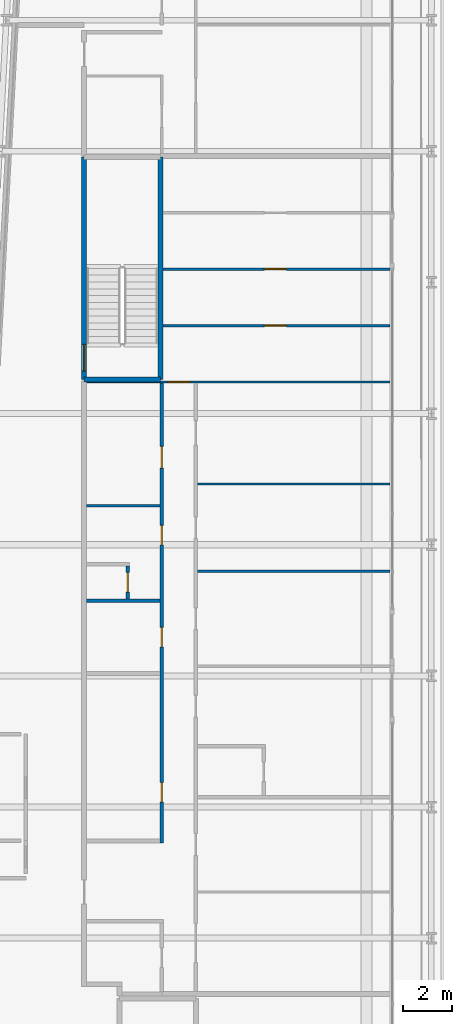
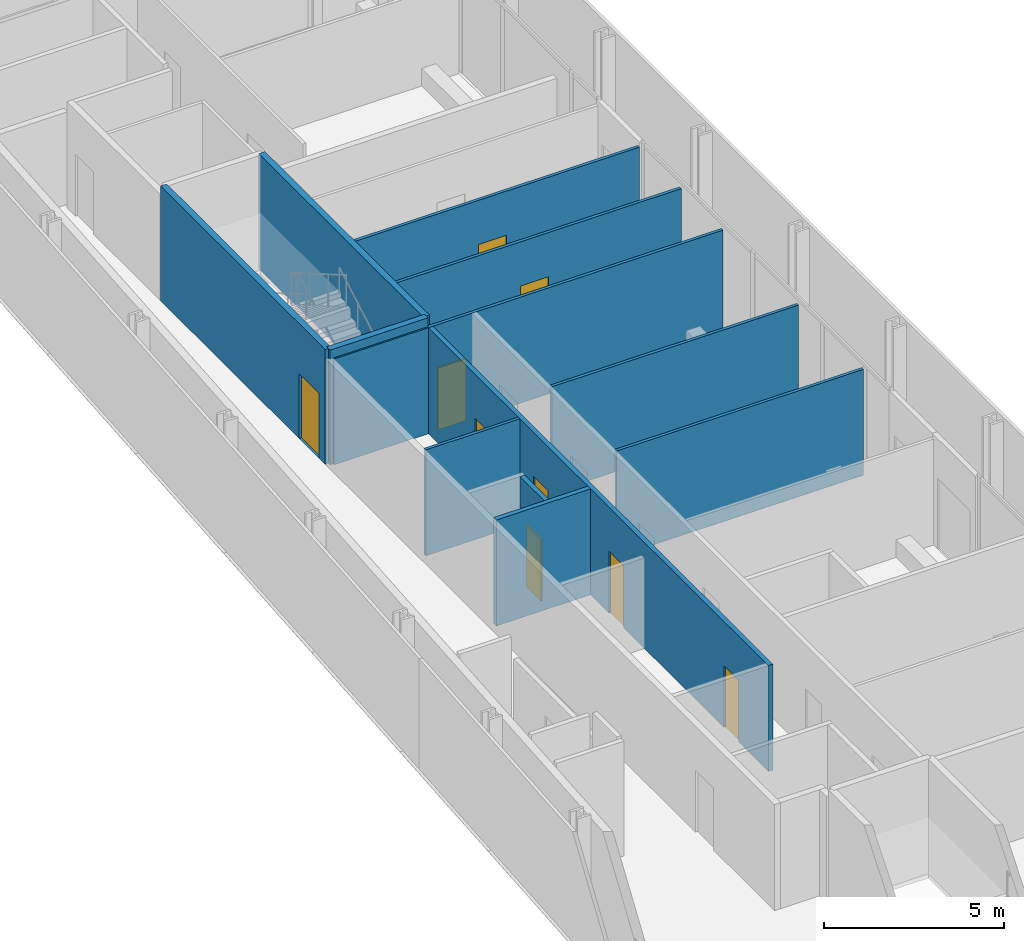
# One storey, part 19 of 29: 12 walls, 9 doors, 9 openings.
"""IFC4 building model written with IfcOpenShell, lengths in metres."""

from ifc_helpers import new_model, si_unit, direction, frame, frame_2d, origin, place, context, subcontext, project, spatial, rectangle, extrude, source, transform, mapped, material, layer, layer_set, type_object, element, fill, save


model = new_model("IFC4")

# Units and contexts
model_context = context("Model", 3, precision=1e-05, world=origin(), true_north=direction((0.0, 1.0)))
body_context = subcontext(model_context, "Body", "Model", "MODEL_VIEW")
ifc_project = project(units=[si_unit("LENGTHUNIT", "METRE"), si_unit("AREAUNIT", "SQUARE_METRE"), si_unit("VOLUMEUNIT", "CUBIC_METRE"), si_unit("PLANEANGLEUNIT", "RADIAN"), si_unit("MASSUNIT", "GRAM", prefix="KILO")], contexts=[model_context])

# Site, building, storey
site_placement = place(None, origin())
site = spatial("IfcSite", under=ifc_project, at=site_placement, CompositionType="ELEMENT")
building_placement = place(site_placement, origin())
building = spatial("IfcBuilding", under=site, at=building_placement, Name="Kheshtan School and Residences Tower", CompositionType="ELEMENT")
storey_placement = place(building_placement, frame((0.0, 0.0, 61.699951171875)))
storey = spatial("IfcBuildingStorey", under=building, at=storey_placement, Name="L14", CompositionType="ELEMENT", Elevation=61.699951171875)

# Wall
ifc_material_1 = material(Name="Gypsum board on steel studs", Category="steel")
ifc_layer_1 = layer(ifc_material_1, 0.10009765625)
ifc_layer_set_1 = layer_set([ifc_layer_1], Name="Gypsum partition 100")
wall_type_1 = type_object("IfcWallType", Name="Gypsum partition 100", PredefinedType="PARTITIONING", material=ifc_layer_set_1)
wall_1_placement = place(storey_placement, frame((33.39990234375, 74.199951171875, 0.0), z_axis=(0.0, 0.0, 1.0), x_axis=(1.0, 0.0, 0.0)))
element("IfcWall", 1, at=wall_1_placement, inside=storey, type_object=wall_type_1, Name="Partition L14-011", PredefinedType="PARTITIONING", context=body_context, shape_type="SweptSolid", body=[
    extrude(rectangle(XDim=3.025146484375, YDim=0.10009765625, at=frame_2d((1.5126953125, 0.0))), origin(), (0.0, 0.0, 1.0), 3.60009765625),
])

# Wall, opening, door
wall_2_placement = place(storey_placement, frame((33.39990234375, 79.300048828125, 0.0), z_axis=(0.0, 0.0, 1.0), x_axis=(1.0, 0.0, 0.0)))
wall_2 = element("IfcWall", 2, at=wall_2_placement, inside=storey, type_object=wall_type_1, Name="Partition L14-012", PredefinedType="PARTITIONING", context=body_context, shape_type="SweptSolid", body=[
    extrude(rectangle(XDim=12.5, YDim=0.10009765625, at=frame_2d((6.25, 0.0))), origin(), (0.0, 0.0, 1.0), 3.60009765625),
])
opening_1_placement = place(wall_2_placement, frame((3.35498046875, 0.0, 0.0)))
opening_1 = element("IfcOpeningElement", 3, at=opening_1_placement, cuts=wall_2, Name="Opening D14-047", PredefinedType="OPENING", context=body_context, shape_type="SweptSolid", body=[
    extrude(rectangle(XDim=0.89990234375, YDim=2.10009765625, at=frame_2d((0.449951171875, 1.050048828125))), frame((0.0, 0.06005859375, 0.0), z_axis=(0.0, -1.0, 0.0), x_axis=(1.0, 0.0, 0.0)), (0.0, 0.0, 1.0), 0.1201171875),
])
ifc_material_2 = material(Name="Veneered timber door leaf", Category="wood")
door_type_1 = type_object("IfcDoorType", Name="Door 900 x 2100", OperationType="SINGLE_SWING_LEFT", PredefinedType="DOOR", material=ifc_material_2)
shared_shape_1 = source(origin(), body_context, "Body", "SweptSolid", [
    extrude(rectangle(XDim=0.89990234375, YDim=2.10009765625, at=frame_2d((0.449951171875, 1.050048828125))), frame((0.0, 0.02490234375, 0.0), z_axis=(0.0, -1.0, 0.0), x_axis=(1.0, 0.0, 0.0)), (0.0, 0.0, 1.0), 0.050048828125),
])
door_1_placement = place(opening_1_placement, origin())
door_1 = element("IfcDoor", 4, at=door_1_placement, inside=storey, type_object=door_type_1, Name="Door D14-047", OperationType="SINGLE_SWING_LEFT", OverallHeight=2.10009765625, OverallWidth=0.89990234375, PredefinedType="DOOR", context=body_context, shape_type="MappedRepresentation", body=[
    mapped(shared_shape_1, transform((0.0, 0.0, 0.0), x_axis=(1.0, 0.0, 0.0), y_axis=(0.0, 1.0, 0.0), z_axis=(0.0, 0.0, 1.0), scale=1.0)),
])
fill(opening_1, door_1)

wall_3_placement = place(storey_placement, frame((36.549072265625, 81.625, 0.0), z_axis=(0.0, 0.0, 1.0), x_axis=(1.0, 0.0, 0.0)))
wall_3 = element("IfcWall", 5, at=wall_3_placement, inside=storey, type_object=wall_type_1, Name="Partition L14-024", PredefinedType="PARTITIONING", context=body_context, shape_type="SweptSolid", body=[
    extrude(rectangle(XDim=9.350830078125, YDim=0.10009765625, at=frame_2d((4.67529296875, 0.0))), origin(), (0.0, 0.0, 1.0), 3.60009765625),
])
opening_2_placement = place(wall_3_placement, frame((4.176025390625, 0.0, 0.0)))
opening_2 = element("IfcOpeningElement", 6, at=opening_2_placement, cuts=wall_3, Name="Opening D14-048", PredefinedType="OPENING", context=body_context, shape_type="SweptSolid", body=[
    extrude(rectangle(XDim=0.89990234375, YDim=2.10009765625, at=frame_2d((0.449951171875, 1.050048828125))), frame((0.0, 0.06005859375, 0.0), z_axis=(0.0, -1.0, 0.0), x_axis=(1.0, 0.0, 0.0)), (0.0, 0.0, 1.0), 0.1201171875),
])
door_2_placement = place(opening_2_placement, origin())
door_2 = element("IfcDoor", 7, at=door_2_placement, inside=storey, type_object=door_type_1, Name="Door D14-048", OperationType="SINGLE_SWING_RIGHT", OverallHeight=2.10009765625, OverallWidth=0.89990234375, PredefinedType="DOOR", context=body_context, shape_type="MappedRepresentation", body=[
    mapped(shared_shape_1, transform((0.0, 0.0, 0.0), x_axis=(1.0, 0.0, 0.0), y_axis=(0.0, 1.0, 0.0), z_axis=(0.0, 0.0, 1.0), scale=1.0)),
])
fill(opening_2, door_2)

wall_4_placement = place(storey_placement, frame((36.549072265625, 83.949951171875, 0.0), z_axis=(0.0, 0.0, 1.0), x_axis=(1.0, 0.0, 0.0)))
wall_4 = element("IfcWall", 8, at=wall_4_placement, inside=storey, type_object=wall_type_1, Name="Partition L14-025", PredefinedType="PARTITIONING", context=body_context, shape_type="SweptSolid", body=[
    extrude(rectangle(XDim=9.350830078125, YDim=0.10009765625, at=frame_2d((4.67529296875, 0.0))), origin(), (0.0, 0.0, 1.0), 3.60009765625),
])
opening_3_placement = place(wall_4_placement, frame((4.176025390625, 0.0, 0.0)))
opening_3 = element("IfcOpeningElement", 9, at=opening_3_placement, cuts=wall_4, Name="Opening D14-049", PredefinedType="OPENING", context=body_context, shape_type="SweptSolid", body=[
    extrude(rectangle(XDim=0.89990234375, YDim=2.10009765625, at=frame_2d((0.449951171875, 1.050048828125))), frame((0.0, 0.06005859375, 0.0), z_axis=(0.0, -1.0, 0.0), x_axis=(1.0, 0.0, 0.0)), (0.0, 0.0, 1.0), 0.1201171875),
])
door_3_placement = place(opening_3_placement, origin())
door_3 = element("IfcDoor", 10, at=door_3_placement, inside=storey, type_object=door_type_1, Name="Door D14-049", OperationType="SINGLE_SWING_RIGHT", OverallHeight=2.10009765625, OverallWidth=0.89990234375, PredefinedType="DOOR", context=body_context, shape_type="MappedRepresentation", body=[
    mapped(shared_shape_1, transform((0.0, 0.0, 0.0), x_axis=(1.0, 0.0, 0.0), y_axis=(0.0, 1.0, 0.0), z_axis=(0.0, 0.0, 1.0), scale=1.0)),
])
fill(opening_3, door_3)

# Walls
for number, where, z_axis, x_axis, name in (
    (11, (37.97509765625, 71.5, 0.0), (0.0, 0.0, 1.0), (1.0, 0.0, 0.0), "Partition L14-034"),
    (12, (37.97509765625, 75.10009765625, 0.0), (0.0, 0.0, 1.0), (1.0, 0.0, 0.0), "Partition L14-035"),
):
    element("IfcWall", number, at=place(storey_placement, frame(where, z_axis=z_axis, x_axis=x_axis)), inside=storey, type_object=wall_type_1, Name=name, PredefinedType="PARTITIONING", context=body_context, shape_type="SweptSolid", body=[
        extrude(rectangle(XDim=7.9248046875, YDim=0.10009765625, at=frame_2d((3.96240234375, 0.0))), origin(), (0.0, 0.0, 1.0), 3.60009765625),
    ])
ifc_material_3 = material(Name="Concrete C40/50", Category="concrete")
ifc_layer_2 = layer(ifc_material_3, 0.199951171875)
ifc_layer_set_2 = layer_set([ifc_layer_2], Name="Stair enclosure wall 200 Concrete C40/50")
wall_type_2 = type_object("IfcWallType", Name="Stair enclosure wall 200 Concrete C40/50", PredefinedType="SHEAR", material=ifc_layer_set_2)
wall_5_placement = place(storey_placement, frame((33.300048828125, 79.39990234375, 0.0), z_axis=(0.0, 0.0, 1.0), x_axis=(1.0, 0.0, 0.0)))
element("IfcWall", 13, at=wall_5_placement, inside=storey, type_object=wall_type_2, Name="Stair enclosure wall ST3", PredefinedType="SHEAR", context=body_context, shape_type="SweptSolid", body=[
    extrude(rectangle(XDim=3.14990234375, YDim=0.199951171875, at=frame_2d((1.574951171875, 0.0))), origin(), (0.0, 0.0, 1.0), 3.900146484375),
])

# Wall, opening, door
wall_6_placement = place(storey_placement, frame((33.300048828125, 79.39990234375, 0.0), z_axis=(0.0, 0.0, 1.0), x_axis=(0.0, 1.0, 0.0)))
wall_6 = element("IfcWall", 14, at=wall_6_placement, inside=storey, type_object=wall_type_2, Name="Stair enclosure wall ST3", PredefinedType="SHEAR", context=body_context, shape_type="SweptSolid", body=[
    extrude(rectangle(XDim=9.16015625, YDim=0.199951171875, at=frame_2d((4.580078125, 0.0))), origin(), (0.0, 0.0, 1.0), 3.900146484375),
])
opening_4_placement = place(wall_6_placement, frame((0.35009765625, 0.0, 0.0)))
opening_4 = element("IfcOpeningElement", 15, at=opening_4_placement, cuts=wall_6, Name="Opening ST3D", PredefinedType="OPENING", context=body_context, shape_type="SweptSolid", body=[
    extrude(rectangle(XDim=1.10009765625, YDim=2.199951171875, at=frame_2d((0.550048828125, 1.10009765625))), frame((0.0, 0.10986328125, 0.0), z_axis=(0.0, -1.0, 0.0), x_axis=(1.0, 0.0, 0.0)), (0.0, 0.0, 1.0), 0.219970703125),
])
ifc_material_4 = material(Name="Steel door leaf, galvanised", Category="steel")
door_type_2 = type_object("IfcDoorType", Name="Stair door 1100 steel 90 min", OperationType="SINGLE_SWING_LEFT", PredefinedType="DOOR", material=ifc_material_4)
shared_shape_2 = source(origin(), body_context, "Body", "SweptSolid", [
    extrude(rectangle(XDim=1.10009765625, YDim=2.199951171875, at=frame_2d((0.550048828125, 1.10009765625))), frame((0.0, 0.02490234375, 0.0), z_axis=(0.0, -1.0, 0.0), x_axis=(1.0, 0.0, 0.0)), (0.0, 0.0, 1.0), 0.050048828125),
])
door_4_placement = place(opening_4_placement, origin())
door_4 = element("IfcDoor", 16, at=door_4_placement, inside=storey, type_object=door_type_2, Name="Stair ST3 door", OperationType="SINGLE_SWING_RIGHT", OverallHeight=2.199951171875, OverallWidth=1.10009765625, PredefinedType="DOOR", context=body_context, shape_type="MappedRepresentation", body=[
    mapped(shared_shape_2, transform((0.0, 0.0, 0.0), x_axis=(1.0, 0.0, 0.0), y_axis=(0.0, 1.0, 0.0), z_axis=(0.0, 0.0, 1.0), scale=1.0)),
])
fill(opening_4, door_4)

# Walls
wall_7_placement = place(storey_placement, frame((36.449951171875, 79.39990234375, 0.0), z_axis=(0.0, 0.0, 1.0), x_axis=(0.0, 1.0, 0.0)))
element("IfcWall", 17, at=wall_7_placement, inside=storey, type_object=wall_type_2, Name="Stair enclosure wall ST3", PredefinedType="SHEAR", context=body_context, shape_type="SweptSolid", body=[
    extrude(rectangle(XDim=9.16015625, YDim=0.199951171875, at=frame_2d((4.580078125, 0.0))), origin(), (0.0, 0.0, 1.0), 3.900146484375),
])
ifc_material_5 = material(Name="Moisture-resistant gypsum board on steel studs", Category="steel")
ifc_layer_3 = layer(ifc_material_5, 0.14990234375)
ifc_layer_set_3 = layer_set([ifc_layer_3], Name="Wet-room partition 150")
wall_type_3 = type_object("IfcWallType", Name="Wet-room partition 150", PredefinedType="PARTITIONING", material=ifc_layer_set_3)
wall_8_placement = place(storey_placement, frame((33.39990234375, 70.300048828125, 0.0), z_axis=(0.0, 0.0, 1.0), x_axis=(1.0, 0.0, 0.0)))
element("IfcWall", 18, at=wall_8_placement, inside=storey, type_object=wall_type_3, Name="Partition L14-009", PredefinedType="PARTITIONING", context=body_context, shape_type="SweptSolid", body=[
    extrude(rectangle(XDim=3.025146484375, YDim=0.14990234375, at=frame_2d((1.5126953125, 0.0))), origin(), (0.0, 0.0, 1.0), 3.60009765625),
])

# Wall, opening, door
wall_9_placement = place(storey_placement, frame((35.10009765625, 70.375, 0.0), z_axis=(0.0, 0.0, 1.0), x_axis=(0.0, 1.0, 0.0)))
wall_9 = element("IfcWall", 19, at=wall_9_placement, inside=storey, type_object=wall_type_3, Name="Partition L14-017", PredefinedType="PARTITIONING", context=body_context, shape_type="SweptSolid", body=[
    extrude(rectangle(XDim=1.35009765625, YDim=0.14990234375, at=frame_2d((0.675048828125, 0.0))), origin(), (0.0, 0.0, 1.0), 3.60009765625),
])
opening_5_placement = place(wall_9_placement, frame((0.27490234375, 0.0, 0.0)))
opening_5 = element("IfcOpeningElement", 20, at=opening_5_placement, cuts=wall_9, Name="Opening D14-043", PredefinedType="OPENING", context=body_context, shape_type="SweptSolid", body=[
    extrude(rectangle(XDim=0.800048828125, YDim=2.10009765625, at=frame_2d((0.39990234375, 1.050048828125))), frame((0.0, 0.0849609375, 0.0), z_axis=(0.0, -1.0, 0.0), x_axis=(1.0, 0.0, 0.0)), (0.0, 0.0, 1.0), 0.169921875),
])
door_type_3 = type_object("IfcDoorType", Name="Door 800 x 2100", OperationType="SINGLE_SWING_LEFT", PredefinedType="DOOR", material=ifc_material_2)
shared_shape_3 = source(origin(), body_context, "Body", "SweptSolid", [
    extrude(rectangle(XDim=0.800048828125, YDim=2.10009765625, at=frame_2d((0.39990234375, 1.050048828125))), frame((0.0, 0.02490234375, 0.0), z_axis=(0.0, -1.0, 0.0), x_axis=(1.0, 0.0, 0.0)), (0.0, 0.0, 1.0), 0.050048828125),
])
door_5_placement = place(opening_5_placement, origin())
door_5 = element("IfcDoor", 21, at=door_5_placement, inside=storey, type_object=door_type_3, Name="Door D14-043", OperationType="SINGLE_SWING_LEFT", OverallHeight=2.10009765625, OverallWidth=0.800048828125, PredefinedType="DOOR", context=body_context, shape_type="MappedRepresentation", body=[
    mapped(shared_shape_3, transform((0.0, 0.0, 0.0), x_axis=(1.0, 0.0, 0.0), y_axis=(0.0, 1.0, 0.0), z_axis=(0.0, 0.0, 1.0), scale=1.0)),
])
fill(opening_5, door_5)

# Wall, openings, doors
wall_10_placement = place(storey_placement, frame((36.5, 60.324951171875, 0.0), z_axis=(0.0, 0.0, 1.0), x_axis=(0.0, 1.0, 0.0)))
wall_10 = element("IfcWall", 22, at=wall_10_placement, inside=storey, type_object=wall_type_3, Name="Partition L14-021", PredefinedType="PARTITIONING", context=body_context, shape_type="SweptSolid", body=[
    extrude(rectangle(XDim=18.925048828125, YDim=0.14990234375, at=frame_2d((9.46240234375, 0.0))), origin(), (0.0, 0.0, 1.0), 3.60009765625),
])
opening_6_placement = place(wall_10_placement, frame((8.074951171875, 0.0, 0.0)))
opening_6 = element("IfcOpeningElement", 23, at=opening_6_placement, cuts=wall_10, Name="Opening D14-034", PredefinedType="OPENING", context=body_context, shape_type="SweptSolid", body=[
    extrude(rectangle(XDim=0.800048828125, YDim=2.10009765625, at=frame_2d((0.39990234375, 1.050048828125))), frame((0.0, 0.0849609375, 0.0), z_axis=(0.0, -1.0, 0.0), x_axis=(1.0, 0.0, 0.0)), (0.0, 0.0, 1.0), 0.169921875),
])
opening_7_placement = place(wall_10_placement, frame((15.425048828125, 0.0, 0.0)))
opening_7 = element("IfcOpeningElement", 24, at=opening_7_placement, cuts=wall_10, Name="Opening D14-040", PredefinedType="OPENING", context=body_context, shape_type="SweptSolid", body=[
    extrude(rectangle(XDim=0.89990234375, YDim=2.10009765625, at=frame_2d((0.449951171875, 1.050048828125))), frame((0.0, 0.0849609375, 0.0), z_axis=(0.0, -1.0, 0.0), x_axis=(1.0, 0.0, 0.0)), (0.0, 0.0, 1.0), 0.169921875),
])
opening_8_placement = place(wall_10_placement, frame((12.27490234375, 0.0, 0.0)))
opening_8 = element("IfcOpeningElement", 25, at=opening_8_placement, cuts=wall_10, Name="Opening D14-042", PredefinedType="OPENING", context=body_context, shape_type="SweptSolid", body=[
    extrude(rectangle(XDim=0.800048828125, YDim=2.10009765625, at=frame_2d((0.39990234375, 1.050048828125))), frame((0.0, 0.0849609375, 0.0), z_axis=(0.0, -1.0, 0.0), x_axis=(1.0, 0.0, 0.0)), (0.0, 0.0, 1.0), 0.169921875),
])
opening_9_placement = place(wall_10_placement, frame((1.675048828125, 0.0, 0.0)))
opening_9 = element("IfcOpeningElement", 26, at=opening_9_placement, cuts=wall_10, Name="Opening D14-046", PredefinedType="OPENING", context=body_context, shape_type="SweptSolid", body=[
    extrude(rectangle(XDim=0.800048828125, YDim=2.10009765625, at=frame_2d((0.39990234375, 1.050048828125))), frame((0.0, 0.0849609375, 0.0), z_axis=(0.0, -1.0, 0.0), x_axis=(1.0, 0.0, 0.0)), (0.0, 0.0, 1.0), 0.169921875),
])
door_6_placement = place(opening_6_placement, origin())
door_6 = element("IfcDoor", 27, at=door_6_placement, inside=storey, type_object=door_type_3, Name="Door D14-034", OperationType="SINGLE_SWING_LEFT", OverallHeight=2.10009765625, OverallWidth=0.800048828125, PredefinedType="DOOR", context=body_context, shape_type="MappedRepresentation", body=[
    mapped(shared_shape_3, transform((0.0, 0.0, 0.0), x_axis=(1.0, 0.0, 0.0), y_axis=(0.0, 1.0, 0.0), z_axis=(0.0, 0.0, 1.0), scale=1.0)),
])
fill(opening_6, door_6)
door_7_placement = place(opening_8_placement, origin())
door_7 = element("IfcDoor", 28, at=door_7_placement, inside=storey, type_object=door_type_3, Name="Door D14-042", OperationType="SINGLE_SWING_RIGHT", OverallHeight=2.10009765625, OverallWidth=0.800048828125, PredefinedType="DOOR", context=body_context, shape_type="MappedRepresentation", body=[
    mapped(shared_shape_3, transform((0.0, 0.0, 0.0), x_axis=(1.0, 0.0, 0.0), y_axis=(0.0, 1.0, 0.0), z_axis=(0.0, 0.0, 1.0), scale=1.0)),
])
fill(opening_8, door_7)
door_8_placement = place(opening_9_placement, origin())
door_8 = element("IfcDoor", 29, at=door_8_placement, inside=storey, type_object=door_type_3, Name="Door D14-046", OperationType="SINGLE_SWING_LEFT", OverallHeight=2.10009765625, OverallWidth=0.800048828125, PredefinedType="DOOR", context=body_context, shape_type="MappedRepresentation", body=[
    mapped(shared_shape_3, transform((0.0, 0.0, 0.0), x_axis=(1.0, 0.0, 0.0), y_axis=(0.0, 1.0, 0.0), z_axis=(0.0, 0.0, 1.0), scale=1.0)),
])
fill(opening_9, door_8)
door_9_placement = place(opening_7_placement, origin())
door_9 = element("IfcDoor", 30, at=door_9_placement, inside=storey, type_object=door_type_1, Name="Door D14-040", OperationType="SINGLE_SWING_RIGHT", OverallHeight=2.10009765625, OverallWidth=0.89990234375, PredefinedType="DOOR", context=body_context, shape_type="MappedRepresentation", body=[
    mapped(shared_shape_1, transform((0.0, 0.0, 0.0), x_axis=(1.0, 0.0, 0.0), y_axis=(0.0, 1.0, 0.0), z_axis=(0.0, 0.0, 1.0), scale=1.0)),
])
fill(opening_7, door_9)

save(model, "model.ifc")
